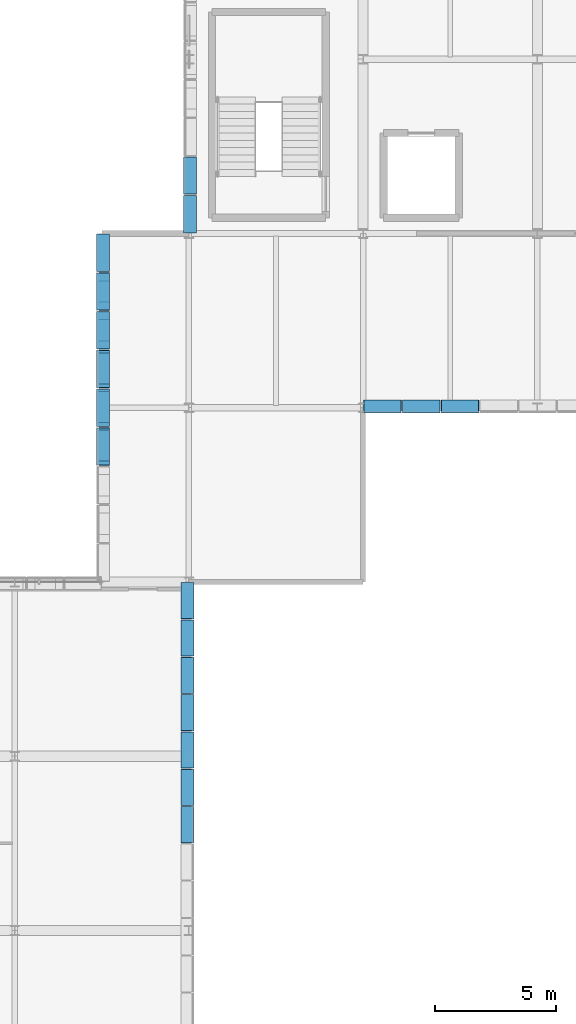
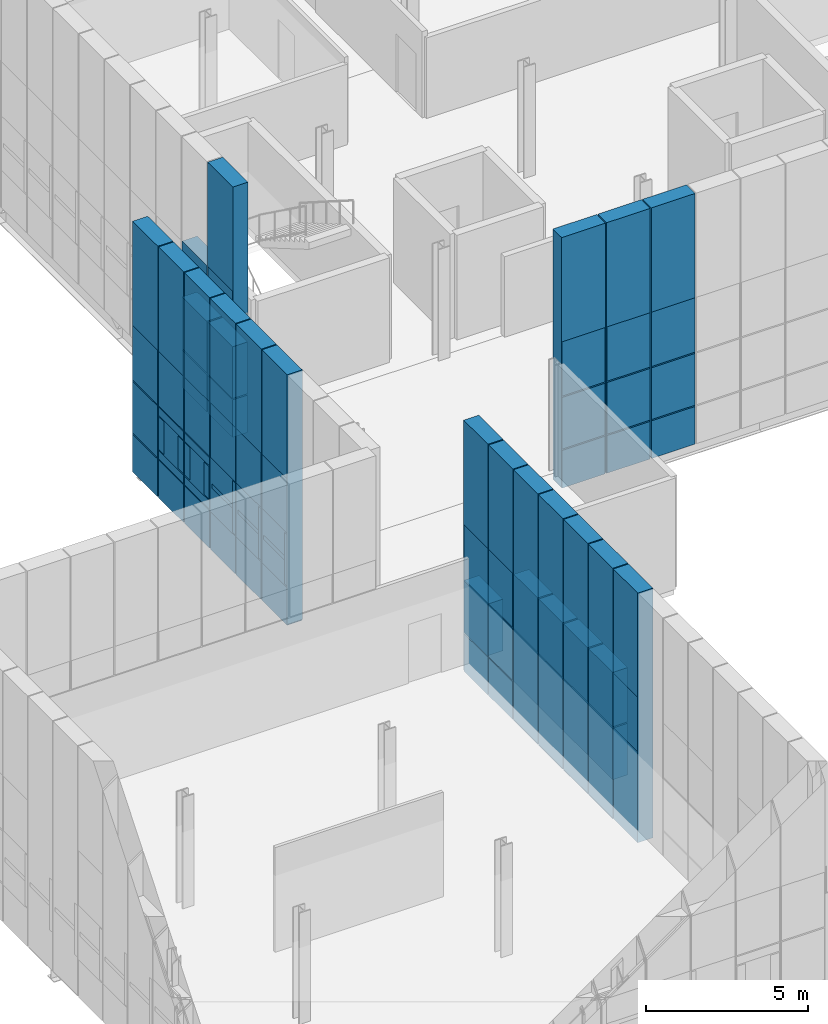
# One storey, part 111 of 144: 78 discrete accessories.
"""IFC4 building model written with IfcOpenShell, lengths in metres."""

from ifc_helpers import new_model, si_unit, direction, frame, origin, origin_2d, place, context, subcontext, project, spatial, rectangle, extrude, material, type_object, element, save


model = new_model("IFC4")

# Units and contexts
model_context = context("Model", 3, precision=1e-05, world=origin(), true_north=direction((0.0, 1.0)))
body_context = subcontext(model_context, "Body", "Model", "MODEL_VIEW")
ifc_project = project(units=[si_unit("LENGTHUNIT", "METRE"), si_unit("AREAUNIT", "SQUARE_METRE"), si_unit("VOLUMEUNIT", "CUBIC_METRE"), si_unit("PLANEANGLEUNIT", "RADIAN"), si_unit("MASSUNIT", "GRAM", prefix="KILO")], contexts=[model_context])

# Site, building, storey
site_placement = place(None, origin())
site = spatial("IfcSite", under=ifc_project, at=site_placement, CompositionType="ELEMENT")
building_placement = place(site_placement, origin())
building = spatial("IfcBuilding", under=site, at=building_placement, Name="Yarey Park Central Fire Station", CompositionType="ELEMENT")
storey_placement = place(building_placement, frame((0.0, 0.0, 10.199951171875)))
storey = spatial("IfcBuildingStorey", under=building, at=storey_placement, Name="L03", CompositionType="ELEMENT", Elevation=10.199951171875)

# Discrete accessories
ifc_material = material(Name="Stainless Steel AISI 316L", Category="steel")
discrete_accessory_type = type_object("IfcDiscreteAccessoryType", Name="ENV_BRK_SS1", PredefinedType="BRACKET", material=ifc_material)
discrete_accessory_1_placement = place(storey_placement, frame((25.25, 48.800048828125, -0.494873046875), z_axis=(0.0, 0.0, 1.0), x_axis=(1.0, 0.0, 0.0)))
element("IfcDiscreteAccessory", 1, at=discrete_accessory_1_placement, inside=storey, type_object=discrete_accessory_type, Name="BRK_PERF_L03_0553", PredefinedType="BRACKET", context=body_context, shape_type="SweptSolid", body=[
    extrude(rectangle(XDim=0.5400390625, YDim=1.5400390625, at=origin_2d()), origin(), (0.0, 0.0, 1.0), 1.419921875),
])
discrete_accessory_2_placement = place(storey_placement, frame((25.25, 48.110107421875, 0.97509765625), z_axis=(0.0, 0.0, 1.0), x_axis=(1.0, 0.0, 0.0)))
element("IfcDiscreteAccessory", 2, at=discrete_accessory_2_placement, inside=storey, type_object=discrete_accessory_type, Name="BRK_PERF_L03_0554", PredefinedType="BRACKET", context=body_context, shape_type="SweptSolid", body=[
    extrude(rectangle(XDim=0.5400390625, YDim=0.159912109375, at=origin_2d()), origin(), (0.0, 0.0, 1.0), 1.949951171875),
])
discrete_accessory_3_placement = place(storey_placement, frame((25.25, 48.800048828125, 1.8701171875), z_axis=(0.0, 0.0, 1.0), x_axis=(1.0, 0.0, 0.0)))
element("IfcDiscreteAccessory", 3, at=discrete_accessory_3_placement, inside=storey, type_object=discrete_accessory_type, Name="BRK_PERF_L03_0555", PredefinedType="BRACKET", context=body_context, shape_type="SweptSolid", body=[
    extrude(rectangle(XDim=0.5400390625, YDim=1.340087890625, at=origin_2d()), origin(), (0.0, 0.0, 1.0), 0.159912109375),
])
discrete_accessory_4_placement = place(storey_placement, frame((25.25, 48.800048828125, 2.97509765625), z_axis=(0.0, 0.0, 1.0), x_axis=(1.0, 0.0, 0.0)))
element("IfcDiscreteAccessory", 4, at=discrete_accessory_4_placement, inside=storey, type_object=discrete_accessory_type, Name="BRK_PERF_L03_0556", PredefinedType="BRACKET", context=body_context, shape_type="SweptSolid", body=[
    extrude(rectangle(XDim=0.5400390625, YDim=1.5400390625, at=origin_2d()), origin(), (0.0, 0.0, 1.0), 2.050048828125),
])
discrete_accessory_5_placement = place(storey_placement, frame((25.25, 48.800048828125, -0.4599609375), z_axis=(0.0, 0.0, 1.0), x_axis=(1.0, 0.0, 0.0)))
element("IfcDiscreteAccessory", 5, at=discrete_accessory_5_placement, inside=storey, type_object=discrete_accessory_type, Name="BRK_RAIL_L03_0559", PredefinedType="BRACKET", context=body_context, shape_type="SweptSolid", body=[
    extrude(rectangle(XDim=0.5400390625, YDim=1.56005859375, at=origin_2d()), origin(), (0.0, 0.0, 1.0), 9.419921875),
])
discrete_accessory_6_placement = place(storey_placement, frame((25.25, 50.39990234375, -0.494873046875), z_axis=(0.0, 0.0, 1.0), x_axis=(1.0, 0.0, 0.0)))
element("IfcDiscreteAccessory", 6, at=discrete_accessory_6_placement, inside=storey, type_object=discrete_accessory_type, Name="BRK_PERF_L03_0560", PredefinedType="BRACKET", context=body_context, shape_type="SweptSolid", body=[
    extrude(rectangle(XDim=0.5400390625, YDim=1.5400390625, at=origin_2d()), origin(), (0.0, 0.0, 1.0), 1.419921875),
])
discrete_accessory_7_placement = place(storey_placement, frame((25.25, 49.7099609375, 0.97509765625), z_axis=(0.0, 0.0, 1.0), x_axis=(1.0, 0.0, 0.0)))
element("IfcDiscreteAccessory", 7, at=discrete_accessory_7_placement, inside=storey, type_object=discrete_accessory_type, Name="BRK_PERF_L03_0561", PredefinedType="BRACKET", context=body_context, shape_type="SweptSolid", body=[
    extrude(rectangle(XDim=0.5400390625, YDim=0.159912109375, at=origin_2d()), origin(), (0.0, 0.0, 1.0), 1.949951171875),
])
discrete_accessory_8_placement = place(storey_placement, frame((25.25, 50.39990234375, 1.8701171875), z_axis=(0.0, 0.0, 1.0), x_axis=(1.0, 0.0, 0.0)))
element("IfcDiscreteAccessory", 8, at=discrete_accessory_8_placement, inside=storey, type_object=discrete_accessory_type, Name="BRK_PERF_L03_0562", PredefinedType="BRACKET", context=body_context, shape_type="SweptSolid", body=[
    extrude(rectangle(XDim=0.5400390625, YDim=1.340087890625, at=origin_2d()), origin(), (0.0, 0.0, 1.0), 0.159912109375),
])
discrete_accessory_9_placement = place(storey_placement, frame((25.25, 50.39990234375, 2.97509765625), z_axis=(0.0, 0.0, 1.0), x_axis=(1.0, 0.0, 0.0)))
element("IfcDiscreteAccessory", 9, at=discrete_accessory_9_placement, inside=storey, type_object=discrete_accessory_type, Name="BRK_PERF_L03_0563", PredefinedType="BRACKET", context=body_context, shape_type="SweptSolid", body=[
    extrude(rectangle(XDim=0.5400390625, YDim=1.5400390625, at=origin_2d()), origin(), (0.0, 0.0, 1.0), 2.050048828125),
])
discrete_accessory_10_placement = place(storey_placement, frame((25.25, 50.39990234375, -0.4599609375), z_axis=(0.0, 0.0, 1.0), x_axis=(1.0, 0.0, 0.0)))
element("IfcDiscreteAccessory", 10, at=discrete_accessory_10_placement, inside=storey, type_object=discrete_accessory_type, Name="BRK_RAIL_L03_0566", PredefinedType="BRACKET", context=body_context, shape_type="SweptSolid", body=[
    extrude(rectangle(XDim=0.5400390625, YDim=1.56005859375, at=origin_2d()), origin(), (0.0, 0.0, 1.0), 9.419921875),
])
discrete_accessory_11_placement = place(storey_placement, frame((25.25, 52.0, -0.494873046875), z_axis=(0.0, 0.0, 1.0), x_axis=(1.0, 0.0, 0.0)))
element("IfcDiscreteAccessory", 11, at=discrete_accessory_11_placement, inside=storey, type_object=discrete_accessory_type, Name="BRK_PERF_L03_0567", PredefinedType="BRACKET", context=body_context, shape_type="SweptSolid", body=[
    extrude(rectangle(XDim=0.5400390625, YDim=1.5400390625, at=origin_2d()), origin(), (0.0, 0.0, 1.0), 1.419921875),
])
discrete_accessory_12_placement = place(storey_placement, frame((25.25, 51.31005859375, 0.97509765625), z_axis=(0.0, 0.0, 1.0), x_axis=(1.0, 0.0, 0.0)))
element("IfcDiscreteAccessory", 12, at=discrete_accessory_12_placement, inside=storey, type_object=discrete_accessory_type, Name="BRK_PERF_L03_0568", PredefinedType="BRACKET", context=body_context, shape_type="SweptSolid", body=[
    extrude(rectangle(XDim=0.5400390625, YDim=0.159912109375, at=origin_2d()), origin(), (0.0, 0.0, 1.0), 1.949951171875),
])
discrete_accessory_13_placement = place(storey_placement, frame((25.25, 52.0, 1.8701171875), z_axis=(0.0, 0.0, 1.0), x_axis=(1.0, 0.0, 0.0)))
element("IfcDiscreteAccessory", 13, at=discrete_accessory_13_placement, inside=storey, type_object=discrete_accessory_type, Name="BRK_PERF_L03_0569", PredefinedType="BRACKET", context=body_context, shape_type="SweptSolid", body=[
    extrude(rectangle(XDim=0.5400390625, YDim=1.340087890625, at=origin_2d()), origin(), (0.0, 0.0, 1.0), 0.159912109375),
])
discrete_accessory_14_placement = place(storey_placement, frame((25.25, 52.0, 2.97509765625), z_axis=(0.0, 0.0, 1.0), x_axis=(1.0, 0.0, 0.0)))
element("IfcDiscreteAccessory", 14, at=discrete_accessory_14_placement, inside=storey, type_object=discrete_accessory_type, Name="BRK_PERF_L03_0570", PredefinedType="BRACKET", context=body_context, shape_type="SweptSolid", body=[
    extrude(rectangle(XDim=0.5400390625, YDim=1.5400390625, at=origin_2d()), origin(), (0.0, 0.0, 1.0), 2.050048828125),
])
discrete_accessory_15_placement = place(storey_placement, frame((25.25, 52.0, -0.4599609375), z_axis=(0.0, 0.0, 1.0), x_axis=(1.0, 0.0, 0.0)))
element("IfcDiscreteAccessory", 15, at=discrete_accessory_15_placement, inside=storey, type_object=discrete_accessory_type, Name="BRK_RAIL_L03_0573", PredefinedType="BRACKET", context=body_context, shape_type="SweptSolid", body=[
    extrude(rectangle(XDim=0.5400390625, YDim=1.56005859375, at=origin_2d()), origin(), (0.0, 0.0, 1.0), 9.419921875),
])
discrete_accessory_16_placement = place(storey_placement, frame((25.25, 53.60009765625, -0.494873046875), z_axis=(0.0, 0.0, 1.0), x_axis=(1.0, 0.0, 0.0)))
element("IfcDiscreteAccessory", 16, at=discrete_accessory_16_placement, inside=storey, type_object=discrete_accessory_type, Name="BRK_PERF_L03_0574", PredefinedType="BRACKET", context=body_context, shape_type="SweptSolid", body=[
    extrude(rectangle(XDim=0.5400390625, YDim=1.5400390625, at=origin_2d()), origin(), (0.0, 0.0, 1.0), 1.419921875),
])
for number, where, z_axis, x_axis, name in (
    (17, (25.25, 53.60009765625, 0.97021484375), (0.0, 0.0, 1.0), (1.0, 0.0, 0.0), "BRK_PERF_L03_0575"),
    (18, (25.25, 53.60009765625, 2.60986328125), (0.0, 0.0, 1.0), (1.0, 0.0, 0.0), "BRK_PERF_L03_0576"),
):
    element("IfcDiscreteAccessory", number, at=place(storey_placement, frame(where, z_axis=z_axis, x_axis=x_axis)), inside=storey, type_object=discrete_accessory_type, Name=name, PredefinedType="BRACKET", context=body_context, shape_type="SweptSolid", body=[
        extrude(rectangle(XDim=0.5400390625, YDim=1.5400390625, at=origin_2d()), origin(), (0.0, 0.0, 1.0), 0.320068359375),
    ])
for number, where, z_axis, x_axis, name in (
    (19, (25.25, 53.0, 1.3349609375), (0.0, 0.0, 1.0), (1.0, 0.0, 0.0), "BRK_PERF_L03_0577"),
    (20, (25.25, 54.199951171875, 1.3349609375), (0.0, 0.0, 1.0), (1.0, 0.0, 0.0), "BRK_PERF_L03_0578"),
):
    element("IfcDiscreteAccessory", number, at=place(storey_placement, frame(where, z_axis=z_axis, x_axis=x_axis)), inside=storey, type_object=discrete_accessory_type, Name=name, PredefinedType="BRACKET", context=body_context, shape_type="SweptSolid", body=[
        extrude(rectangle(XDim=0.5400390625, YDim=0.320068359375, at=origin_2d()), origin(), (0.0, 0.0, 1.0), 1.22998046875),
    ])
discrete_accessory_17_placement = place(storey_placement, frame((25.25, 53.60009765625, 2.97509765625), z_axis=(0.0, 0.0, 1.0), x_axis=(1.0, 0.0, 0.0)))
element("IfcDiscreteAccessory", 21, at=discrete_accessory_17_placement, inside=storey, type_object=discrete_accessory_type, Name="BRK_PERF_L03_0579", PredefinedType="BRACKET", context=body_context, shape_type="SweptSolid", body=[
    extrude(rectangle(XDim=0.5400390625, YDim=1.5400390625, at=origin_2d()), origin(), (0.0, 0.0, 1.0), 2.050048828125),
])
discrete_accessory_18_placement = place(storey_placement, frame((25.25, 53.60009765625, -0.4599609375), z_axis=(0.0, 0.0, 1.0), x_axis=(1.0, 0.0, 0.0)))
element("IfcDiscreteAccessory", 22, at=discrete_accessory_18_placement, inside=storey, type_object=discrete_accessory_type, Name="BRK_RAIL_L03_0584", PredefinedType="BRACKET", context=body_context, shape_type="SweptSolid", body=[
    extrude(rectangle(XDim=0.5400390625, YDim=1.56005859375, at=origin_2d()), origin(), (0.0, 0.0, 1.0), 9.419921875),
])
discrete_accessory_19_placement = place(storey_placement, frame((25.25, 55.199951171875, -0.494873046875), z_axis=(0.0, 0.0, 1.0), x_axis=(1.0, 0.0, 0.0)))
element("IfcDiscreteAccessory", 23, at=discrete_accessory_19_placement, inside=storey, type_object=discrete_accessory_type, Name="BRK_PERF_L03_0585", PredefinedType="BRACKET", context=body_context, shape_type="SweptSolid", body=[
    extrude(rectangle(XDim=0.5400390625, YDim=1.5400390625, at=origin_2d()), origin(), (0.0, 0.0, 1.0), 1.419921875),
])
for number, where, z_axis, x_axis, name in (
    (24, (25.25, 55.199951171875, 0.97021484375), (0.0, 0.0, 1.0), (1.0, 0.0, 0.0), "BRK_PERF_L03_0586"),
    (25, (25.25, 55.199951171875, 2.60986328125), (0.0, 0.0, 1.0), (1.0, 0.0, 0.0), "BRK_PERF_L03_0587"),
):
    element("IfcDiscreteAccessory", number, at=place(storey_placement, frame(where, z_axis=z_axis, x_axis=x_axis)), inside=storey, type_object=discrete_accessory_type, Name=name, PredefinedType="BRACKET", context=body_context, shape_type="SweptSolid", body=[
        extrude(rectangle(XDim=0.5400390625, YDim=1.5400390625, at=origin_2d()), origin(), (0.0, 0.0, 1.0), 0.320068359375),
    ])
for number, where, z_axis, x_axis, name in (
    (26, (25.25, 54.60009765625, 1.3349609375), (0.0, 0.0, 1.0), (1.0, 0.0, 0.0), "BRK_PERF_L03_0588"),
    (27, (25.25, 55.800048828125, 1.3349609375), (0.0, 0.0, 1.0), (1.0, 0.0, 0.0), "BRK_PERF_L03_0589"),
):
    element("IfcDiscreteAccessory", number, at=place(storey_placement, frame(where, z_axis=z_axis, x_axis=x_axis)), inside=storey, type_object=discrete_accessory_type, Name=name, PredefinedType="BRACKET", context=body_context, shape_type="SweptSolid", body=[
        extrude(rectangle(XDim=0.5400390625, YDim=0.320068359375, at=origin_2d()), origin(), (0.0, 0.0, 1.0), 1.22998046875),
    ])
discrete_accessory_20_placement = place(storey_placement, frame((25.25, 55.199951171875, 2.97509765625), z_axis=(0.0, 0.0, 1.0), x_axis=(1.0, 0.0, 0.0)))
element("IfcDiscreteAccessory", 28, at=discrete_accessory_20_placement, inside=storey, type_object=discrete_accessory_type, Name="BRK_PERF_L03_0590", PredefinedType="BRACKET", context=body_context, shape_type="SweptSolid", body=[
    extrude(rectangle(XDim=0.5400390625, YDim=1.5400390625, at=origin_2d()), origin(), (0.0, 0.0, 1.0), 2.050048828125),
])
discrete_accessory_21_placement = place(storey_placement, frame((25.25, 55.199951171875, -0.4599609375), z_axis=(0.0, 0.0, 1.0), x_axis=(1.0, 0.0, 0.0)))
element("IfcDiscreteAccessory", 29, at=discrete_accessory_21_placement, inside=storey, type_object=discrete_accessory_type, Name="BRK_RAIL_L03_0595", PredefinedType="BRACKET", context=body_context, shape_type="SweptSolid", body=[
    extrude(rectangle(XDim=0.5400390625, YDim=1.56005859375, at=origin_2d()), origin(), (0.0, 0.0, 1.0), 9.419921875),
])
discrete_accessory_22_placement = place(storey_placement, frame((25.25, 56.800048828125, -0.494873046875), z_axis=(0.0, 0.0, 1.0), x_axis=(1.0, 0.0, 0.0)))
element("IfcDiscreteAccessory", 30, at=discrete_accessory_22_placement, inside=storey, type_object=discrete_accessory_type, Name="BRK_PERF_L03_0596", PredefinedType="BRACKET", context=body_context, shape_type="SweptSolid", body=[
    extrude(rectangle(XDim=0.5400390625, YDim=1.5400390625, at=origin_2d()), origin(), (0.0, 0.0, 1.0), 1.419921875),
])
discrete_accessory_23_placement = place(storey_placement, frame((25.25, 56.800048828125, 0.97509765625), z_axis=(0.0, 0.0, 1.0), x_axis=(1.0, 0.0, 0.0)))
element("IfcDiscreteAccessory", 31, at=discrete_accessory_23_placement, inside=storey, type_object=discrete_accessory_type, Name="BRK_PERF_L03_0597", PredefinedType="BRACKET", context=body_context, shape_type="SweptSolid", body=[
    extrude(rectangle(XDim=0.5400390625, YDim=1.5400390625, at=origin_2d()), origin(), (0.0, 0.0, 1.0), 1.949951171875),
])
discrete_accessory_24_placement = place(storey_placement, frame((25.25, 56.800048828125, 2.97509765625), z_axis=(0.0, 0.0, 1.0), x_axis=(1.0, 0.0, 0.0)))
element("IfcDiscreteAccessory", 32, at=discrete_accessory_24_placement, inside=storey, type_object=discrete_accessory_type, Name="BRK_PERF_L03_0598", PredefinedType="BRACKET", context=body_context, shape_type="SweptSolid", body=[
    extrude(rectangle(XDim=0.5400390625, YDim=1.5400390625, at=origin_2d()), origin(), (0.0, 0.0, 1.0), 2.050048828125),
])
discrete_accessory_25_placement = place(storey_placement, frame((25.25, 56.800048828125, -0.4599609375), z_axis=(0.0, 0.0, 1.0), x_axis=(1.0, 0.0, 0.0)))
element("IfcDiscreteAccessory", 33, at=discrete_accessory_25_placement, inside=storey, type_object=discrete_accessory_type, Name="BRK_RAIL_L03_0600", PredefinedType="BRACKET", context=body_context, shape_type="SweptSolid", body=[
    extrude(rectangle(XDim=0.5400390625, YDim=1.56005859375, at=origin_2d()), origin(), (0.0, 0.0, 1.0), 9.419921875),
])
discrete_accessory_26_placement = place(storey_placement, frame((28.85009765625, 58.396240234375, -0.494873046875), z_axis=(0.0, 0.0, 1.0), x_axis=(1.0, 0.0, 0.0)))
element("IfcDiscreteAccessory", 34, at=discrete_accessory_26_placement, inside=storey, type_object=discrete_accessory_type, Name="BRK_PERF_L03_0601", PredefinedType="BRACKET", context=body_context, shape_type="SweptSolid", body=[
    extrude(rectangle(XDim=0.5400390625, YDim=1.5322265625, at=origin_2d()), origin(), (0.0, 0.0, 1.0), 1.419921875),
])
discrete_accessory_27_placement = place(storey_placement, frame((28.85009765625, 58.396240234375, 0.97509765625), z_axis=(0.0, 0.0, 1.0), x_axis=(1.0, 0.0, 0.0)))
element("IfcDiscreteAccessory", 35, at=discrete_accessory_27_placement, inside=storey, type_object=discrete_accessory_type, Name="BRK_PERF_L03_0602", PredefinedType="BRACKET", context=body_context, shape_type="SweptSolid", body=[
    extrude(rectangle(XDim=0.5400390625, YDim=1.5322265625, at=origin_2d()), origin(), (0.0, 0.0, 1.0), 1.949951171875),
])
discrete_accessory_28_placement = place(storey_placement, frame((28.85009765625, 58.396240234375, 2.97509765625), z_axis=(0.0, 0.0, 1.0), x_axis=(1.0, 0.0, 0.0)))
element("IfcDiscreteAccessory", 36, at=discrete_accessory_28_placement, inside=storey, type_object=discrete_accessory_type, Name="BRK_PERF_L03_0603", PredefinedType="BRACKET", context=body_context, shape_type="SweptSolid", body=[
    extrude(rectangle(XDim=0.5400390625, YDim=1.5322265625, at=origin_2d()), origin(), (0.0, 0.0, 1.0), 2.050048828125),
])
discrete_accessory_29_placement = place(storey_placement, frame((28.85009765625, 58.396240234375, -0.4599609375), z_axis=(0.0, 0.0, 1.0), x_axis=(1.0, 0.0, 0.0)))
element("IfcDiscreteAccessory", 37, at=discrete_accessory_29_placement, inside=storey, type_object=discrete_accessory_type, Name="BRK_RAIL_L03_0605", PredefinedType="BRACKET", context=body_context, shape_type="SweptSolid", body=[
    extrude(rectangle(XDim=0.5400390625, YDim=1.55224609375, at=origin_2d()), origin(), (0.0, 0.0, 1.0), 9.419921875),
])
discrete_accessory_30_placement = place(storey_placement, frame((28.85009765625, 59.988525390625, -0.494873046875), z_axis=(0.0, 0.0, 1.0), x_axis=(1.0, 0.0, 0.0)))
element("IfcDiscreteAccessory", 38, at=discrete_accessory_30_placement, inside=storey, type_object=discrete_accessory_type, Name="BRK_PERF_L03_0606", PredefinedType="BRACKET", context=body_context, shape_type="SweptSolid", body=[
    extrude(rectangle(XDim=0.5400390625, YDim=1.5322265625, at=origin_2d()), origin(), (0.0, 0.0, 1.0), 1.419921875),
])
discrete_accessory_31_placement = place(storey_placement, frame((28.85009765625, 59.988525390625, 0.97509765625), z_axis=(0.0, 0.0, 1.0), x_axis=(1.0, 0.0, 0.0)))
element("IfcDiscreteAccessory", 39, at=discrete_accessory_31_placement, inside=storey, type_object=discrete_accessory_type, Name="BRK_PERF_L03_0607", PredefinedType="BRACKET", context=body_context, shape_type="SweptSolid", body=[
    extrude(rectangle(XDim=0.5400390625, YDim=1.5322265625, at=origin_2d()), origin(), (0.0, 0.0, 1.0), 1.949951171875),
])
discrete_accessory_32_placement = place(storey_placement, frame((28.85009765625, 59.988525390625, 2.97509765625), z_axis=(0.0, 0.0, 1.0), x_axis=(1.0, 0.0, 0.0)))
element("IfcDiscreteAccessory", 40, at=discrete_accessory_32_placement, inside=storey, type_object=discrete_accessory_type, Name="BRK_PERF_L03_0608", PredefinedType="BRACKET", context=body_context, shape_type="SweptSolid", body=[
    extrude(rectangle(XDim=0.5400390625, YDim=1.5322265625, at=origin_2d()), origin(), (0.0, 0.0, 1.0), 2.050048828125),
])
discrete_accessory_33_placement = place(storey_placement, frame((28.75, 33.17138671875, 2.97509765625), z_axis=(0.0, 0.0, 1.0), x_axis=(1.0, 0.0, 0.0)))
element("IfcDiscreteAccessory", 41, at=discrete_accessory_33_placement, inside=storey, type_object=discrete_accessory_type, Name="BRK_PERF_L03_0954", PredefinedType="BRACKET", context=body_context, shape_type="SweptSolid", body=[
    extrude(rectangle(XDim=0.5400390625, YDim=1.48291015625, at=origin_2d()), origin(), (0.0, 0.0, 1.0), 2.050048828125),
])
discrete_accessory_34_placement = place(storey_placement, frame((28.75, 33.17138671875, -0.4599609375), z_axis=(0.0, 0.0, 1.0), x_axis=(1.0, 0.0, 0.0)))
element("IfcDiscreteAccessory", 42, at=discrete_accessory_34_placement, inside=storey, type_object=discrete_accessory_type, Name="BRK_RAIL_L03_0956", PredefinedType="BRACKET", context=body_context, shape_type="SweptSolid", body=[
    extrude(rectangle(XDim=0.5400390625, YDim=1.5029296875, at=origin_2d()), origin(), (0.0, 0.0, 1.0), 9.419921875),
])
discrete_accessory_35_placement = place(storey_placement, frame((28.75, 34.71435546875, -0.494873046875), z_axis=(0.0, 0.0, 1.0), x_axis=(1.0, 0.0, 0.0)))
element("IfcDiscreteAccessory", 43, at=discrete_accessory_35_placement, inside=storey, type_object=discrete_accessory_type, Name="BRK_PERF_L03_0957", PredefinedType="BRACKET", context=body_context, shape_type="SweptSolid", body=[
    extrude(rectangle(XDim=0.5400390625, YDim=1.48291015625, at=origin_2d()), origin(), (0.0, 0.0, 1.0), 1.419921875),
])
discrete_accessory_36_placement = place(storey_placement, frame((28.75, 34.71435546875, 0.97509765625), z_axis=(0.0, 0.0, 1.0), x_axis=(1.0, 0.0, 0.0)))
element("IfcDiscreteAccessory", 44, at=discrete_accessory_36_placement, inside=storey, type_object=discrete_accessory_type, Name="BRK_PERF_L03_0958", PredefinedType="BRACKET", context=body_context, shape_type="SweptSolid", body=[
    extrude(rectangle(XDim=0.5400390625, YDim=1.48291015625, at=origin_2d()), origin(), (0.0, 0.0, 1.0), 1.949951171875),
])
discrete_accessory_37_placement = place(storey_placement, frame((28.75, 34.71435546875, 2.97509765625), z_axis=(0.0, 0.0, 1.0), x_axis=(1.0, 0.0, 0.0)))
element("IfcDiscreteAccessory", 45, at=discrete_accessory_37_placement, inside=storey, type_object=discrete_accessory_type, Name="BRK_PERF_L03_0959", PredefinedType="BRACKET", context=body_context, shape_type="SweptSolid", body=[
    extrude(rectangle(XDim=0.5400390625, YDim=1.48291015625, at=origin_2d()), origin(), (0.0, 0.0, 1.0), 2.050048828125),
])
discrete_accessory_38_placement = place(storey_placement, frame((28.75, 34.71435546875, -0.4599609375), z_axis=(0.0, 0.0, 1.0), x_axis=(1.0, 0.0, 0.0)))
element("IfcDiscreteAccessory", 46, at=discrete_accessory_38_placement, inside=storey, type_object=discrete_accessory_type, Name="BRK_RAIL_L03_0961", PredefinedType="BRACKET", context=body_context, shape_type="SweptSolid", body=[
    extrude(rectangle(XDim=0.5400390625, YDim=1.5029296875, at=origin_2d()), origin(), (0.0, 0.0, 1.0), 9.419921875),
])
discrete_accessory_39_placement = place(storey_placement, frame((28.75, 36.257080078125, -0.494873046875), z_axis=(0.0, 0.0, 1.0), x_axis=(1.0, 0.0, 0.0)))
element("IfcDiscreteAccessory", 47, at=discrete_accessory_39_placement, inside=storey, type_object=discrete_accessory_type, Name="BRK_PERF_L03_0962", PredefinedType="BRACKET", context=body_context, shape_type="SweptSolid", body=[
    extrude(rectangle(XDim=0.5400390625, YDim=1.48291015625, at=origin_2d()), origin(), (0.0, 0.0, 1.0), 1.419921875),
])
discrete_accessory_40_placement = place(storey_placement, frame((28.75, 36.257080078125, 0.97509765625), z_axis=(0.0, 0.0, 1.0), x_axis=(1.0, 0.0, 0.0)))
element("IfcDiscreteAccessory", 48, at=discrete_accessory_40_placement, inside=storey, type_object=discrete_accessory_type, Name="BRK_PERF_L03_0963", PredefinedType="BRACKET", context=body_context, shape_type="SweptSolid", body=[
    extrude(rectangle(XDim=0.5400390625, YDim=1.48291015625, at=origin_2d()), origin(), (0.0, 0.0, 1.0), 1.949951171875),
])
discrete_accessory_41_placement = place(storey_placement, frame((28.75, 36.257080078125, 2.97509765625), z_axis=(0.0, 0.0, 1.0), x_axis=(1.0, 0.0, 0.0)))
element("IfcDiscreteAccessory", 49, at=discrete_accessory_41_placement, inside=storey, type_object=discrete_accessory_type, Name="BRK_PERF_L03_0964", PredefinedType="BRACKET", context=body_context, shape_type="SweptSolid", body=[
    extrude(rectangle(XDim=0.5400390625, YDim=1.48291015625, at=origin_2d()), origin(), (0.0, 0.0, 1.0), 2.050048828125),
])
discrete_accessory_42_placement = place(storey_placement, frame((28.75, 36.257080078125, -0.4599609375), z_axis=(0.0, 0.0, 1.0), x_axis=(1.0, 0.0, 0.0)))
element("IfcDiscreteAccessory", 50, at=discrete_accessory_42_placement, inside=storey, type_object=discrete_accessory_type, Name="BRK_RAIL_L03_0966", PredefinedType="BRACKET", context=body_context, shape_type="SweptSolid", body=[
    extrude(rectangle(XDim=0.5400390625, YDim=1.5029296875, at=origin_2d()), origin(), (0.0, 0.0, 1.0), 9.419921875),
])
discrete_accessory_43_placement = place(storey_placement, frame((28.75, 37.800048828125, -0.494873046875), z_axis=(0.0, 0.0, 1.0), x_axis=(1.0, 0.0, 0.0)))
element("IfcDiscreteAccessory", 51, at=discrete_accessory_43_placement, inside=storey, type_object=discrete_accessory_type, Name="BRK_PERF_L03_0967", PredefinedType="BRACKET", context=body_context, shape_type="SweptSolid", body=[
    extrude(rectangle(XDim=0.5400390625, YDim=1.48291015625, at=origin_2d()), origin(), (0.0, 0.0, 1.0), 1.419921875),
])
discrete_accessory_44_placement = place(storey_placement, frame((28.75, 37.800048828125, 0.97509765625), z_axis=(0.0, 0.0, 1.0), x_axis=(1.0, 0.0, 0.0)))
element("IfcDiscreteAccessory", 52, at=discrete_accessory_44_placement, inside=storey, type_object=discrete_accessory_type, Name="BRK_PERF_L03_0968", PredefinedType="BRACKET", context=body_context, shape_type="SweptSolid", body=[
    extrude(rectangle(XDim=0.5400390625, YDim=1.48291015625, at=origin_2d()), origin(), (0.0, 0.0, 1.0), 1.949951171875),
])
discrete_accessory_45_placement = place(storey_placement, frame((28.75, 37.800048828125, 2.97509765625), z_axis=(0.0, 0.0, 1.0), x_axis=(1.0, 0.0, 0.0)))
element("IfcDiscreteAccessory", 53, at=discrete_accessory_45_placement, inside=storey, type_object=discrete_accessory_type, Name="BRK_PERF_L03_0969", PredefinedType="BRACKET", context=body_context, shape_type="SweptSolid", body=[
    extrude(rectangle(XDim=0.5400390625, YDim=1.48291015625, at=origin_2d()), origin(), (0.0, 0.0, 1.0), 2.050048828125),
])
discrete_accessory_46_placement = place(storey_placement, frame((28.75, 37.800048828125, -0.4599609375), z_axis=(0.0, 0.0, 1.0), x_axis=(1.0, 0.0, 0.0)))
element("IfcDiscreteAccessory", 54, at=discrete_accessory_46_placement, inside=storey, type_object=discrete_accessory_type, Name="BRK_RAIL_L03_0971", PredefinedType="BRACKET", context=body_context, shape_type="SweptSolid", body=[
    extrude(rectangle(XDim=0.5400390625, YDim=1.5029296875, at=origin_2d()), origin(), (0.0, 0.0, 1.0), 9.419921875),
])
discrete_accessory_47_placement = place(storey_placement, frame((28.75, 39.343017578125, -0.494873046875), z_axis=(0.0, 0.0, 1.0), x_axis=(1.0, 0.0, 0.0)))
element("IfcDiscreteAccessory", 55, at=discrete_accessory_47_placement, inside=storey, type_object=discrete_accessory_type, Name="BRK_PERF_L03_0972", PredefinedType="BRACKET", context=body_context, shape_type="SweptSolid", body=[
    extrude(rectangle(XDim=0.5400390625, YDim=1.48291015625, at=origin_2d()), origin(), (0.0, 0.0, 1.0), 1.419921875),
])
discrete_accessory_48_placement = place(storey_placement, frame((28.75, 39.343017578125, 0.97509765625), z_axis=(0.0, 0.0, 1.0), x_axis=(1.0, 0.0, 0.0)))
element("IfcDiscreteAccessory", 56, at=discrete_accessory_48_placement, inside=storey, type_object=discrete_accessory_type, Name="BRK_PERF_L03_0973", PredefinedType="BRACKET", context=body_context, shape_type="SweptSolid", body=[
    extrude(rectangle(XDim=0.5400390625, YDim=1.48291015625, at=origin_2d()), origin(), (0.0, 0.0, 1.0), 1.949951171875),
])
discrete_accessory_49_placement = place(storey_placement, frame((28.75, 39.343017578125, 2.97509765625), z_axis=(0.0, 0.0, 1.0), x_axis=(1.0, 0.0, 0.0)))
element("IfcDiscreteAccessory", 57, at=discrete_accessory_49_placement, inside=storey, type_object=discrete_accessory_type, Name="BRK_PERF_L03_0974", PredefinedType="BRACKET", context=body_context, shape_type="SweptSolid", body=[
    extrude(rectangle(XDim=0.5400390625, YDim=1.48291015625, at=origin_2d()), origin(), (0.0, 0.0, 1.0), 2.050048828125),
])
discrete_accessory_50_placement = place(storey_placement, frame((28.75, 39.343017578125, -0.4599609375), z_axis=(0.0, 0.0, 1.0), x_axis=(1.0, 0.0, 0.0)))
element("IfcDiscreteAccessory", 58, at=discrete_accessory_50_placement, inside=storey, type_object=discrete_accessory_type, Name="BRK_RAIL_L03_0976", PredefinedType="BRACKET", context=body_context, shape_type="SweptSolid", body=[
    extrude(rectangle(XDim=0.5400390625, YDim=1.5029296875, at=origin_2d()), origin(), (0.0, 0.0, 1.0), 9.419921875),
])
discrete_accessory_51_placement = place(storey_placement, frame((28.75, 40.8857421875, -0.494873046875), z_axis=(0.0, 0.0, 1.0), x_axis=(1.0, 0.0, 0.0)))
element("IfcDiscreteAccessory", 59, at=discrete_accessory_51_placement, inside=storey, type_object=discrete_accessory_type, Name="BRK_PERF_L03_0977", PredefinedType="BRACKET", context=body_context, shape_type="SweptSolid", body=[
    extrude(rectangle(XDim=0.5400390625, YDim=1.48291015625, at=origin_2d()), origin(), (0.0, 0.0, 1.0), 1.419921875),
])
discrete_accessory_52_placement = place(storey_placement, frame((28.75, 40.8857421875, 0.97509765625), z_axis=(0.0, 0.0, 1.0), x_axis=(1.0, 0.0, 0.0)))
element("IfcDiscreteAccessory", 60, at=discrete_accessory_52_placement, inside=storey, type_object=discrete_accessory_type, Name="BRK_PERF_L03_0978", PredefinedType="BRACKET", context=body_context, shape_type="SweptSolid", body=[
    extrude(rectangle(XDim=0.5400390625, YDim=1.48291015625, at=origin_2d()), origin(), (0.0, 0.0, 1.0), 1.949951171875),
])
discrete_accessory_53_placement = place(storey_placement, frame((28.75, 40.8857421875, 2.97509765625), z_axis=(0.0, 0.0, 1.0), x_axis=(1.0, 0.0, 0.0)))
element("IfcDiscreteAccessory", 61, at=discrete_accessory_53_placement, inside=storey, type_object=discrete_accessory_type, Name="BRK_PERF_L03_0979", PredefinedType="BRACKET", context=body_context, shape_type="SweptSolid", body=[
    extrude(rectangle(XDim=0.5400390625, YDim=1.48291015625, at=origin_2d()), origin(), (0.0, 0.0, 1.0), 2.050048828125),
])
discrete_accessory_54_placement = place(storey_placement, frame((28.75, 40.8857421875, -0.4599609375), z_axis=(0.0, 0.0, 1.0), x_axis=(1.0, 0.0, 0.0)))
element("IfcDiscreteAccessory", 62, at=discrete_accessory_54_placement, inside=storey, type_object=discrete_accessory_type, Name="BRK_RAIL_L03_0981", PredefinedType="BRACKET", context=body_context, shape_type="SweptSolid", body=[
    extrude(rectangle(XDim=0.5400390625, YDim=1.5029296875, at=origin_2d()), origin(), (0.0, 0.0, 1.0), 9.419921875),
])
discrete_accessory_55_placement = place(storey_placement, frame((28.75, 42.4287109375, -0.494873046875), z_axis=(0.0, 0.0, 1.0), x_axis=(1.0, 0.0, 0.0)))
element("IfcDiscreteAccessory", 63, at=discrete_accessory_55_placement, inside=storey, type_object=discrete_accessory_type, Name="BRK_PERF_L03_0982", PredefinedType="BRACKET", context=body_context, shape_type="SweptSolid", body=[
    extrude(rectangle(XDim=0.5400390625, YDim=1.48291015625, at=origin_2d()), origin(), (0.0, 0.0, 1.0), 1.419921875),
])
discrete_accessory_56_placement = place(storey_placement, frame((28.75, 42.4287109375, 0.97509765625), z_axis=(0.0, 0.0, 1.0), x_axis=(1.0, 0.0, 0.0)))
element("IfcDiscreteAccessory", 64, at=discrete_accessory_56_placement, inside=storey, type_object=discrete_accessory_type, Name="BRK_PERF_L03_0983", PredefinedType="BRACKET", context=body_context, shape_type="SweptSolid", body=[
    extrude(rectangle(XDim=0.5400390625, YDim=1.48291015625, at=origin_2d()), origin(), (0.0, 0.0, 1.0), 1.949951171875),
])
discrete_accessory_57_placement = place(storey_placement, frame((28.75, 42.4287109375, 2.97509765625), z_axis=(0.0, 0.0, 1.0), x_axis=(1.0, 0.0, 0.0)))
element("IfcDiscreteAccessory", 65, at=discrete_accessory_57_placement, inside=storey, type_object=discrete_accessory_type, Name="BRK_PERF_L03_0984", PredefinedType="BRACKET", context=body_context, shape_type="SweptSolid", body=[
    extrude(rectangle(XDim=0.5400390625, YDim=1.48291015625, at=origin_2d()), origin(), (0.0, 0.0, 1.0), 2.050048828125),
])
discrete_accessory_58_placement = place(storey_placement, frame((28.75, 42.4287109375, -0.4599609375), z_axis=(0.0, 0.0, 1.0), x_axis=(1.0, 0.0, 0.0)))
element("IfcDiscreteAccessory", 66, at=discrete_accessory_58_placement, inside=storey, type_object=discrete_accessory_type, Name="BRK_RAIL_L03_0986", PredefinedType="BRACKET", context=body_context, shape_type="SweptSolid", body=[
    extrude(rectangle(XDim=0.5400390625, YDim=1.5029296875, at=origin_2d()), origin(), (0.0, 0.0, 1.0), 9.419921875),
])
discrete_accessory_59_placement = place(storey_placement, frame((36.800048828125, 50.449951171875, -0.494873046875), z_axis=(0.0, 0.0, 1.0), x_axis=(1.0, 0.0, 0.0)))
element("IfcDiscreteAccessory", 67, at=discrete_accessory_59_placement, inside=storey, type_object=discrete_accessory_type, Name="BRK_PERF_L03_1077", PredefinedType="BRACKET", context=body_context, shape_type="SweptSolid", body=[
    extrude(rectangle(XDim=1.5400390625, YDim=0.5400390625, at=origin_2d()), origin(), (0.0, 0.0, 1.0), 1.419921875),
])
discrete_accessory_60_placement = place(storey_placement, frame((36.800048828125, 50.449951171875, 0.97509765625), z_axis=(0.0, 0.0, 1.0), x_axis=(1.0, 0.0, 0.0)))
element("IfcDiscreteAccessory", 68, at=discrete_accessory_60_placement, inside=storey, type_object=discrete_accessory_type, Name="BRK_PERF_L03_1078", PredefinedType="BRACKET", context=body_context, shape_type="SweptSolid", body=[
    extrude(rectangle(XDim=1.5400390625, YDim=0.5400390625, at=origin_2d()), origin(), (0.0, 0.0, 1.0), 1.949951171875),
])
discrete_accessory_61_placement = place(storey_placement, frame((36.800048828125, 50.449951171875, 2.97509765625), z_axis=(0.0, 0.0, 1.0), x_axis=(1.0, 0.0, 0.0)))
element("IfcDiscreteAccessory", 69, at=discrete_accessory_61_placement, inside=storey, type_object=discrete_accessory_type, Name="BRK_PERF_L03_1079", PredefinedType="BRACKET", context=body_context, shape_type="SweptSolid", body=[
    extrude(rectangle(XDim=1.5400390625, YDim=0.5400390625, at=origin_2d()), origin(), (0.0, 0.0, 1.0), 2.050048828125),
])
discrete_accessory_62_placement = place(storey_placement, frame((36.800048828125, 50.449951171875, -0.4599609375), z_axis=(0.0, 0.0, 1.0), x_axis=(1.0, 0.0, 0.0)))
element("IfcDiscreteAccessory", 70, at=discrete_accessory_62_placement, inside=storey, type_object=discrete_accessory_type, Name="BRK_RAIL_L03_1081", PredefinedType="BRACKET", context=body_context, shape_type="SweptSolid", body=[
    extrude(rectangle(XDim=1.56005859375, YDim=0.5400390625, at=origin_2d()), origin(), (0.0, 0.0, 1.0), 9.419921875),
])
discrete_accessory_63_placement = place(storey_placement, frame((38.39990234375, 50.449951171875, -0.494873046875), z_axis=(0.0, 0.0, 1.0), x_axis=(1.0, 0.0, 0.0)))
element("IfcDiscreteAccessory", 71, at=discrete_accessory_63_placement, inside=storey, type_object=discrete_accessory_type, Name="BRK_PERF_L03_1082", PredefinedType="BRACKET", context=body_context, shape_type="SweptSolid", body=[
    extrude(rectangle(XDim=1.5400390625, YDim=0.5400390625, at=origin_2d()), origin(), (0.0, 0.0, 1.0), 1.419921875),
])
discrete_accessory_64_placement = place(storey_placement, frame((38.39990234375, 50.449951171875, 0.97509765625), z_axis=(0.0, 0.0, 1.0), x_axis=(1.0, 0.0, 0.0)))
element("IfcDiscreteAccessory", 72, at=discrete_accessory_64_placement, inside=storey, type_object=discrete_accessory_type, Name="BRK_PERF_L03_1083", PredefinedType="BRACKET", context=body_context, shape_type="SweptSolid", body=[
    extrude(rectangle(XDim=1.5400390625, YDim=0.5400390625, at=origin_2d()), origin(), (0.0, 0.0, 1.0), 1.949951171875),
])
discrete_accessory_65_placement = place(storey_placement, frame((38.39990234375, 50.449951171875, 2.97509765625), z_axis=(0.0, 0.0, 1.0), x_axis=(1.0, 0.0, 0.0)))
element("IfcDiscreteAccessory", 73, at=discrete_accessory_65_placement, inside=storey, type_object=discrete_accessory_type, Name="BRK_PERF_L03_1084", PredefinedType="BRACKET", context=body_context, shape_type="SweptSolid", body=[
    extrude(rectangle(XDim=1.5400390625, YDim=0.5400390625, at=origin_2d()), origin(), (0.0, 0.0, 1.0), 2.050048828125),
])
discrete_accessory_66_placement = place(storey_placement, frame((38.39990234375, 50.449951171875, -0.4599609375), z_axis=(0.0, 0.0, 1.0), x_axis=(1.0, 0.0, 0.0)))
element("IfcDiscreteAccessory", 74, at=discrete_accessory_66_placement, inside=storey, type_object=discrete_accessory_type, Name="BRK_RAIL_L03_1086", PredefinedType="BRACKET", context=body_context, shape_type="SweptSolid", body=[
    extrude(rectangle(XDim=1.56005859375, YDim=0.5400390625, at=origin_2d()), origin(), (0.0, 0.0, 1.0), 9.419921875),
])
discrete_accessory_67_placement = place(storey_placement, frame((40.0, 50.449951171875, -0.494873046875), z_axis=(0.0, 0.0, 1.0), x_axis=(1.0, 0.0, 0.0)))
element("IfcDiscreteAccessory", 75, at=discrete_accessory_67_placement, inside=storey, type_object=discrete_accessory_type, Name="BRK_PERF_L03_1087", PredefinedType="BRACKET", context=body_context, shape_type="SweptSolid", body=[
    extrude(rectangle(XDim=1.5400390625, YDim=0.5400390625, at=origin_2d()), origin(), (0.0, 0.0, 1.0), 1.419921875),
])
discrete_accessory_68_placement = place(storey_placement, frame((40.0, 50.449951171875, 0.97509765625), z_axis=(0.0, 0.0, 1.0), x_axis=(1.0, 0.0, 0.0)))
element("IfcDiscreteAccessory", 76, at=discrete_accessory_68_placement, inside=storey, type_object=discrete_accessory_type, Name="BRK_PERF_L03_1088", PredefinedType="BRACKET", context=body_context, shape_type="SweptSolid", body=[
    extrude(rectangle(XDim=1.5400390625, YDim=0.5400390625, at=origin_2d()), origin(), (0.0, 0.0, 1.0), 1.949951171875),
])
discrete_accessory_69_placement = place(storey_placement, frame((40.0, 50.449951171875, 2.97509765625), z_axis=(0.0, 0.0, 1.0), x_axis=(1.0, 0.0, 0.0)))
element("IfcDiscreteAccessory", 77, at=discrete_accessory_69_placement, inside=storey, type_object=discrete_accessory_type, Name="BRK_PERF_L03_1089", PredefinedType="BRACKET", context=body_context, shape_type="SweptSolid", body=[
    extrude(rectangle(XDim=1.5400390625, YDim=0.5400390625, at=origin_2d()), origin(), (0.0, 0.0, 1.0), 2.050048828125),
])
discrete_accessory_70_placement = place(storey_placement, frame((40.0, 50.449951171875, -0.4599609375), z_axis=(0.0, 0.0, 1.0), x_axis=(1.0, 0.0, 0.0)))
element("IfcDiscreteAccessory", 78, at=discrete_accessory_70_placement, inside=storey, type_object=discrete_accessory_type, Name="BRK_RAIL_L03_1091", PredefinedType="BRACKET", context=body_context, shape_type="SweptSolid", body=[
    extrude(rectangle(XDim=1.56005859375, YDim=0.5400390625, at=origin_2d()), origin(), (0.0, 0.0, 1.0), 9.419921875),
])

save(model, "model.ifc")
